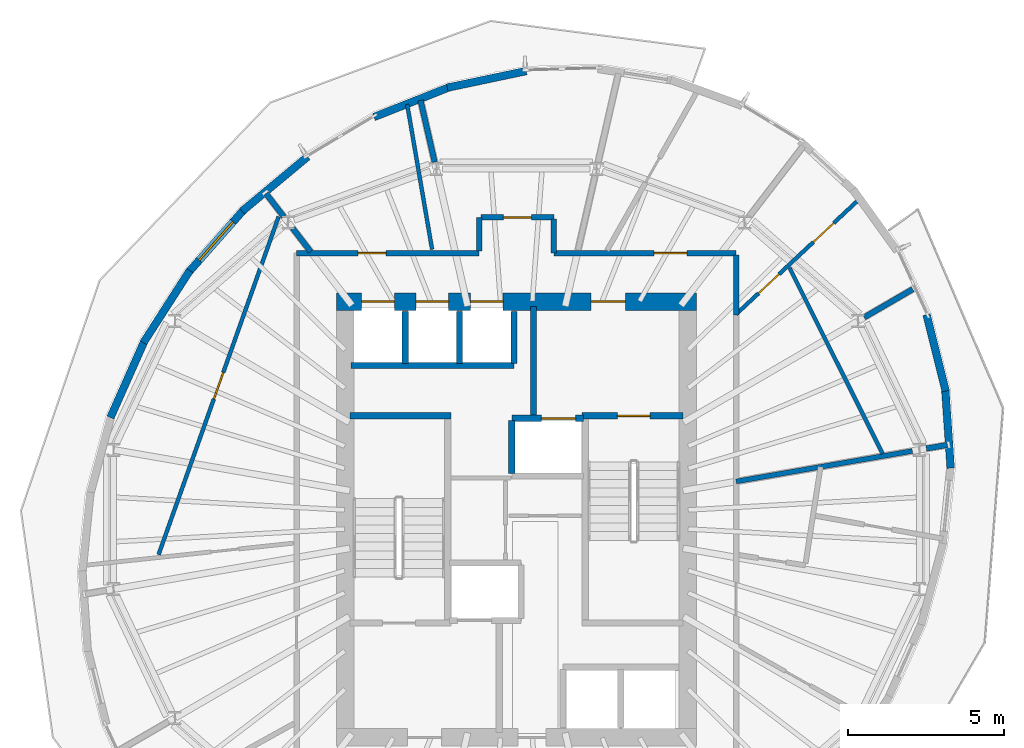
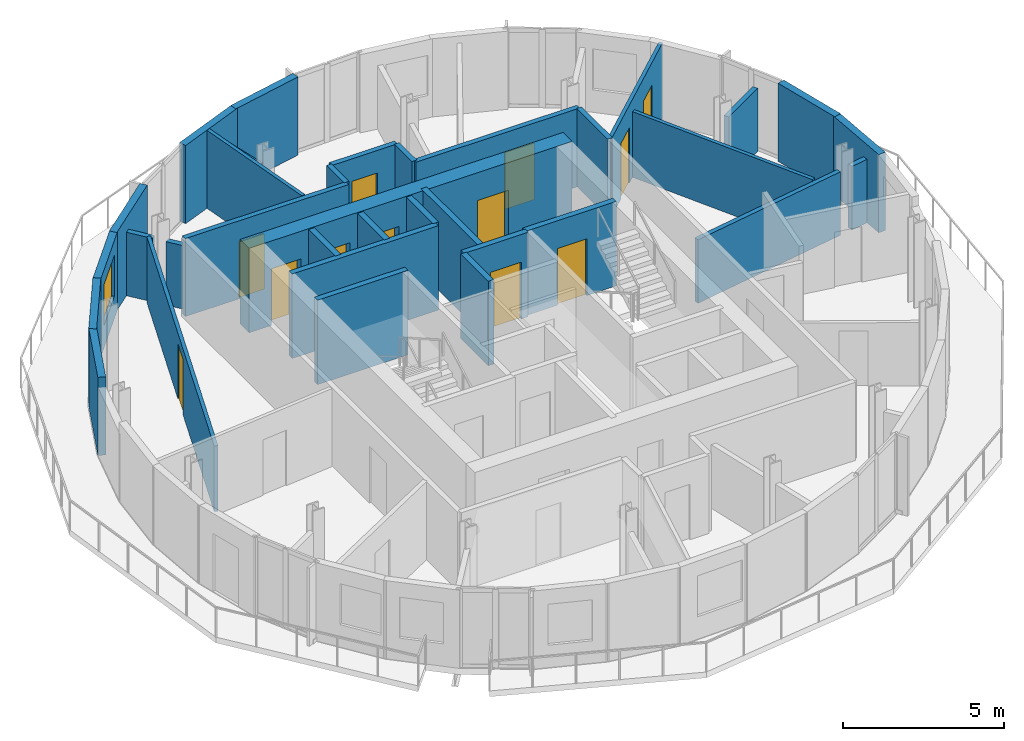
# One storey, part 6 of 11: 34 walls, 12 doors, 1 window, 13 openings.
"""IFC4 building model written with IfcOpenShell, lengths in metres."""

from ifc_helpers import new_model, si_unit, direction, frame, frame_2d, origin, place, context, subcontext, project, spatial, rectangle, extrude, material, layer, layer_set, type_object, element, fill, save


model = new_model("IFC4")

# Units and contexts
model_context = context("Model", 3, precision=1e-05, world=origin(), true_north=direction((0.0, 1.0)))
body_context = subcontext(model_context, "Body", "Model", "MODEL_VIEW")
ifc_project = project(units=[si_unit("LENGTHUNIT", "METRE"), si_unit("AREAUNIT", "SQUARE_METRE"), si_unit("VOLUMEUNIT", "CUBIC_METRE"), si_unit("PLANEANGLEUNIT", "RADIAN"), si_unit("MASSUNIT", "GRAM", prefix="KILO")], contexts=[model_context])

# Site, building, storey
site_placement = place(None, origin())
site = spatial("IfcSite", under=ifc_project, at=site_placement, CompositionType="ELEMENT")
building_placement = place(site_placement, origin())
building = spatial("IfcBuilding", under=site, at=building_placement, Name="Veldorim Arch Residences", CompositionType="ELEMENT")
storey_placement = place(building_placement, frame((0.0, 0.0, 211.0400390625)))
storey = spatial("IfcBuildingStorey", under=building, at=storey_placement, Name="L63", CompositionType="ELEMENT", Elevation=211.0400390625)

# Wall, openings, doors
ifc_material_1 = material(Name="Acoustic Gypsum Board", Category="gypsum")
ifc_layer_1 = layer(ifc_material_1, 0.125, Name="Acoustic Stud Room Partition Wall 125")
ifc_layer_set_1 = layer_set([ifc_layer_1], Name="Acoustic Gypsum Board")
wall_type_1 = type_object("IfcWallType", Name="Acoustic Stud Room Partition Wall 125", PredefinedType="PARTITIONING", material=ifc_layer_set_1)
wall_1_placement = place(storey_placement, frame((43.019775390625, 34.29443359375, 0.0), z_axis=(0.0, 0.0, 1.0), x_axis=(-0.730757039427, -0.682637641307, 0.0)))
wall_1 = element("IfcWall", 1, at=wall_1_placement, inside=storey, type_object=wall_type_1, Name="L63 interior wall WL-RES-L63-023", PredefinedType="PARTITIONING", context=body_context, shape_type="SweptSolid", body=[
    extrude(rectangle(XDim=5.418701171875, YDim=0.125, at=frame_2d((2.70947265625, 0.0))), origin(), (0.0, 0.0, 1.0), 2.955078125),
])
opening_1_placement = place(wall_1_placement, frame((1.1220703125, 0.0, 0.0)))
opening_1 = element("IfcOpeningElement", 2, at=opening_1_placement, cuts=wall_1, Name="Opening DR-INT", PredefinedType="OPENING", context=body_context, shape_type="SweptSolid", body=[
    extrude(rectangle(XDim=0.89990234375, YDim=2.10009765625, at=frame_2d((0.449951171875, 1.050048828125))), frame((0.0, 0.072509765625, 0.0), z_axis=(0.0, -1.0, 0.0), x_axis=(1.0, 0.0, 0.0)), (0.0, 0.0, 1.0), 0.14501953125),
])
opening_2_placement = place(wall_1_placement, frame((3.531005859375, 0.0, 0.0)))
opening_2 = element("IfcOpeningElement", 3, at=opening_2_placement, cuts=wall_1, Name="Opening DR-INT", PredefinedType="OPENING", context=body_context, shape_type="SweptSolid", body=[
    extrude(rectangle(XDim=0.89990234375, YDim=2.10009765625, at=frame_2d((0.449951171875, 1.050048828125))), frame((0.0, 0.072509765625, 0.0), z_axis=(0.0, -1.0, 0.0), x_axis=(1.0, 0.0, 0.0)), (0.0, 0.0, 1.0), 0.14501953125),
])
ifc_material_2 = material(Name="Engineered Timber", Category="wood")
door_type_1 = type_object("IfcDoorType", Name="Apartment Internal Room Timber Door 900x2100", OperationType="SINGLE_SWING_LEFT", PredefinedType="DOOR", material=ifc_material_2)
door_1_placement = place(opening_1_placement, origin())
door_1 = element("IfcDoor", 4, at=door_1_placement, inside=storey, type_object=door_type_1, Name="L63 interior door DR-RES-L63-009", OperationType="SINGLE_SWING_LEFT", OverallHeight=2.10009765625, OverallWidth=0.89990234375, PredefinedType="DOOR", context=body_context, shape_type="SweptSolid", body=[
    extrude(rectangle(XDim=0.89990234375, YDim=2.10009765625, at=frame_2d((0.449951171875, 1.050048828125))), frame((0.0, 0.02490234375, 0.0), z_axis=(0.0, -1.0, 0.0), x_axis=(1.0, 0.0, 0.0)), (0.0, 0.0, 1.0), 0.050048828125),
])
fill(opening_1, door_1)
door_2_placement = place(opening_2_placement, origin())
door_2 = element("IfcDoor", 5, at=door_2_placement, inside=storey, type_object=door_type_1, Name="L63 interior door DR-RES-L63-010", OperationType="SINGLE_SWING_RIGHT", OverallHeight=2.10009765625, OverallWidth=0.89990234375, PredefinedType="DOOR", context=body_context, shape_type="SweptSolid", body=[
    extrude(rectangle(XDim=0.89990234375, YDim=2.10009765625, at=frame_2d((0.449951171875, 1.050048828125))), frame((0.0, 0.02490234375, 0.0), z_axis=(0.0, -1.0, 0.0), x_axis=(1.0, 0.0, 0.0)), (0.0, 0.0, 1.0), 0.050048828125),
])
fill(opening_2, door_2)

# Walls
wall_2_placement = place(storey_placement, frame((43.76806640625, 26.113525390625, 0.0), z_axis=(0.0, 0.0, 1.0), x_axis=(-0.447958394428, 0.894054403748, 0.0)))
element("IfcWall", 6, at=wall_2_placement, inside=storey, type_object=wall_type_1, Name="L63 interior wall WL-RES-L63-025", PredefinedType="PARTITIONING", context=body_context, shape_type="SweptSolid", body=[
    extrude(rectangle(XDim=6.685546875, YDim=0.125, at=frame_2d((3.3427734375, 0.0))), origin(), (0.0, 0.0, 1.0), 2.488037109375),
])
wall_3_placement = place(storey_placement, frame((28.489501953125, 37.340576171875, 0.0), z_axis=(0.0, 0.0, 1.0), x_axis=(0.169376334169, -0.98555144839, 0.0)))
element("IfcWall", 7, at=wall_3_placement, inside=storey, type_object=wall_type_1, Name="L63 interior wall WL-RES-L63-026", PredefinedType="PARTITIONING", context=body_context, shape_type="SweptSolid", body=[
    extrude(rectangle(XDim=4.730712890625, YDim=0.125, at=frame_2d((2.365234375, 0.0))), origin(), (0.0, 0.0, 1.0), 2.955078125),
])

# Wall, opening, door
wall_4_placement = place(storey_placement, frame((20.501220703125, 22.86962890625, 0.0), z_axis=(0.0, 0.0, 1.0), x_axis=(0.334686593727, 0.942329498625, 0.0)))
wall_4 = element("IfcWall", 8, at=wall_4_placement, inside=storey, type_object=wall_type_1, Name="L63 interior wall WL-RES-L63-030", PredefinedType="PARTITIONING", context=body_context, shape_type="SweptSolid", body=[
    extrude(rectangle(XDim=11.524658203125, YDim=0.125, at=frame_2d((5.76220703125, 0.0))), origin(), (0.0, 0.0, 1.0), 2.488037109375),
])
opening_3_placement = place(wall_4_placement, frame((5.3125, 0.0, 0.0)))
opening_3 = element("IfcOpeningElement", 9, at=opening_3_placement, cuts=wall_4, Name="Opening DR-INT", PredefinedType="OPENING", context=body_context, shape_type="SweptSolid", body=[
    extrude(rectangle(XDim=0.89990234375, YDim=2.10009765625, at=frame_2d((0.449951171875, 1.050048828125))), frame((0.0, 0.072509765625, 0.0), z_axis=(0.0, -1.0, 0.0), x_axis=(1.0, 0.0, 0.0)), (0.0, 0.0, 1.0), 0.14501953125),
])
door_3_placement = place(opening_3_placement, origin())
door_3 = element("IfcDoor", 10, at=door_3_placement, inside=storey, type_object=door_type_1, Name="L63 interior door DR-RES-L63-016", OperationType="SINGLE_SWING_RIGHT", OverallHeight=2.10009765625, OverallWidth=0.89990234375, PredefinedType="DOOR", context=body_context, shape_type="SweptSolid", body=[
    extrude(rectangle(XDim=0.89990234375, YDim=2.10009765625, at=frame_2d((0.449951171875, 1.050048828125))), frame((0.0, 0.02490234375, 0.0), z_axis=(0.0, -1.0, 0.0), x_axis=(1.0, 0.0, 0.0)), (0.0, 0.0, 1.0), 0.050048828125),
])
fill(opening_3, door_3)

# Walls
ifc_material_3 = material(Name="Lightweight Masonry Block & Gypsum", Category="masonry")
ifc_layer_2 = layer(ifc_material_3, 0.179931640625, Name="Compartment & Corridor Fire-Rated Party Wall 180")
ifc_layer_set_2 = layer_set([ifc_layer_2], Name="Lightweight Masonry Block & Gypsum")
wall_type_2 = type_object("IfcWallType", Name="Compartment & Corridor Fire-Rated Party Wall 180", PredefinedType="PARTITIONING", material=ifc_layer_set_2)
wall_5_placement = place(storey_placement, frame((45.172607421875, 26.27880859375, 0.0), z_axis=(0.0, 0.0, 1.0), x_axis=(0.985357392461, 0.170501639647, 0.0)))
element("IfcWall", 11, at=wall_5_placement, inside=storey, type_object=wall_type_2, Name="L63 interior wall WL-PIER-L63-01", PredefinedType="PARTITIONING", context=body_context, shape_type="SweptSolid", body=[
    extrude(rectangle(XDim=0.687255859375, YDim=0.179931640625, at=frame_2d((0.34375, 0.0))), origin(), (0.0, 0.0, 1.0), 2.4033203125),
])
wall_6_placement = place(storey_placement, frame((43.173828125, 30.4931640625, 0.0), z_axis=(0.0, 0.0, 1.0), x_axis=(0.864637155841, 0.502396843879, 0.0)))
element("IfcWall", 12, at=wall_6_placement, inside=storey, type_object=wall_type_2, Name="L63 interior wall WL-PIER-L63-02", PredefinedType="PARTITIONING", context=body_context, shape_type="SweptSolid", body=[
    extrude(rectangle(XDim=1.802978515625, YDim=0.179931640625, at=frame_2d((0.9013671875, 0.0))), origin(), (0.0, 0.0, 1.0), 2.4033203125),
])
wall_7_placement = place(storey_placement, frame((29.37353515625, 35.483154296875, 0.0), z_axis=(0.0, 0.0, 1.0), x_axis=(-0.222932254148, 0.974833939736, 0.0)))
element("IfcWall", 13, at=wall_7_placement, inside=storey, type_object=wall_type_2, Name="L63 interior wall WL-PIER-L63-05", PredefinedType="PARTITIONING", context=body_context, shape_type="SweptSolid", body=[
    extrude(rectangle(XDim=2.035888671875, YDim=0.179931640625, at=frame_2d((1.01806640625, 0.0))), origin(), (0.0, 0.0, 1.0), 2.4033203125),
])
wall_8_placement = place(storey_placement, frame((24.526611328125, 33.727294921875, 0.0), z_axis=(0.0, 0.0, 1.0), x_axis=(-0.60903478373, 0.793143512995, 0.0)))
element("IfcWall", 14, at=wall_8_placement, inside=storey, type_object=wall_type_2, Name="L63 interior wall WL-PIER-L63-06", PredefinedType="PARTITIONING", context=body_context, shape_type="SweptSolid", body=[
    extrude(rectangle(XDim=0.94287109375, YDim=0.179931640625, at=frame_2d((0.471435546875, 0.0))), origin(), (0.0, 0.0, 1.0), 2.4033203125),
])

# Wall, opening, door
wall_9_placement = place(storey_placement, frame((33.199951171875, 32.56005859375, 0.0), z_axis=(0.0, 0.0, 1.0), x_axis=(1.0, 0.0, 0.0)))
wall_9 = element("IfcWall", 15, at=wall_9_placement, inside=storey, type_object=wall_type_2, Name="L63 interior wall WL-RES-L63-007", PredefinedType="PARTITIONING", context=body_context, shape_type="SweptSolid", body=[
    extrude(rectangle(XDim=5.860107421875, YDim=0.179931640625, at=frame_2d((2.93017578125, 0.0))), origin(), (0.0, 0.0, 1.0), 2.955078125),
])
opening_4_placement = place(wall_9_placement, frame((3.227294921875, 0.0, 0.0)))
opening_4 = element("IfcOpeningElement", 16, at=opening_4_placement, cuts=wall_9, Name="Opening DR-FLT", PredefinedType="OPENING", context=body_context, shape_type="SweptSolid", body=[
    extrude(rectangle(XDim=1.050048828125, YDim=2.14990234375, at=frame_2d((0.52490234375, 1.074951171875))), frame((0.0, 0.099853515625, 0.0), z_axis=(0.0, -1.0, 0.0), x_axis=(1.0, 0.0, 0.0)), (0.0, 0.0, 1.0), 0.199951171875),
])
ifc_material_4 = material(Name="Fire-Rated Timber", Category="wood")
door_type_2 = type_object("IfcDoorType", Name="Apartment Entrance Solid-Core Fire Door 1050x2150", OperationType="SINGLE_SWING_LEFT", PredefinedType="DOOR", material=ifc_material_4)
door_4_placement = place(opening_4_placement, origin())
door_4 = element("IfcDoor", 17, at=door_4_placement, inside=storey, type_object=door_type_2, Name="L63 interior door DR-RES-L63-007", OperationType="SINGLE_SWING_LEFT", OverallHeight=2.14990234375, OverallWidth=1.050048828125, PredefinedType="DOOR", context=body_context, shape_type="SweptSolid", body=[
    extrude(rectangle(XDim=1.050048828125, YDim=2.14990234375, at=frame_2d((0.52490234375, 1.074951171875))), frame((0.0, 0.02490234375, 0.0), z_axis=(0.0, -1.0, 0.0), x_axis=(1.0, 0.0, 0.0)), (0.0, 0.0, 1.0), 0.050048828125),
])
fill(opening_4, door_4)

# Wall
wall_10_placement = place(storey_placement, frame((39.06005859375, 32.5, 0.0), z_axis=(0.0, 0.0, 1.0), x_axis=(0.0, -1.0, 0.0)))
element("IfcWall", 18, at=wall_10_placement, inside=storey, type_object=wall_type_2, Name="L63 interior wall WL-RES-L63-008", PredefinedType="PARTITIONING", context=body_context, shape_type="SweptSolid", body=[
    extrude(rectangle(XDim=1.924560546875, YDim=0.179931640625, at=frame_2d((0.96240234375, 0.0))), origin(), (0.0, 0.0, 1.0), 2.955078125),
])

# Wall, opening, door
wall_11_placement = place(storey_placement, frame((24.93994140625, 32.56005859375, 0.0), z_axis=(0.0, 0.0, 1.0), x_axis=(1.0, 0.0, 0.0)))
wall_11 = element("IfcWall", 19, at=wall_11_placement, inside=storey, type_object=wall_type_2, Name="L63 interior wall WL-RES-L63-009", PredefinedType="PARTITIONING", context=body_context, shape_type="SweptSolid", body=[
    extrude(rectangle(XDim=5.860107421875, YDim=0.179931640625, at=frame_2d((2.93017578125, 0.0))), origin(), (0.0, 0.0, 1.0), 2.955078125),
])
opening_5_placement = place(wall_11_placement, frame((1.974609375, 0.0, 0.0)))
opening_5 = element("IfcOpeningElement", 20, at=opening_5_placement, cuts=wall_11, Name="Opening DR-SVC", PredefinedType="OPENING", context=body_context, shape_type="SweptSolid", body=[
    extrude(rectangle(XDim=0.89990234375, YDim=2.10009765625, at=frame_2d((0.449951171875, 1.050048828125))), frame((0.0, 0.099853515625, 0.0), z_axis=(0.0, -1.0, 0.0), x_axis=(1.0, 0.0, 0.0)), (0.0, 0.0, 1.0), 0.199951171875),
])
ifc_material_5 = material(Name="Fire-Rated Steel", Category="steel")
door_type_3 = type_object("IfcDoorType", Name="Riser, Shelter & Plant Room Rated Steel Door 900x2100", OperationType="SINGLE_SWING_LEFT", PredefinedType="DOOR", material=ifc_material_5)
door_5_placement = place(opening_5_placement, origin())
door_5 = element("IfcDoor", 21, at=door_5_placement, inside=storey, type_object=door_type_3, Name="L63 interior door DR-RES-L63-011", OperationType="SINGLE_SWING_LEFT", OverallHeight=2.10009765625, OverallWidth=0.89990234375, PredefinedType="DOOR", context=body_context, shape_type="SweptSolid", body=[
    extrude(rectangle(XDim=0.89990234375, YDim=2.10009765625, at=frame_2d((0.449951171875, 1.050048828125))), frame((0.0, 0.02490234375, 0.0), z_axis=(0.0, -1.0, 0.0), x_axis=(1.0, 0.0, 0.0)), (0.0, 0.0, 1.0), 0.050048828125),
])
fill(opening_5, door_5)

# Wall
wall_12_placement = place(storey_placement, frame((30.800048828125, 32.6201171875, 0.0), z_axis=(0.0, 0.0, 1.0), x_axis=(0.0, 1.0, 0.0)))
element("IfcWall", 22, at=wall_12_placement, inside=storey, type_object=wall_type_2, Name="L63 interior wall WL-RES-L63-010", PredefinedType="PARTITIONING", context=body_context, shape_type="SweptSolid", body=[
    extrude(rectangle(XDim=1.08984375, YDim=0.179931640625, at=frame_2d((0.544921875, 0.0))), origin(), (0.0, 0.0, 1.0), 2.955078125),
])

# Wall, opening, door
wall_13_placement = place(storey_placement, frame((30.860107421875, 33.7099609375, 0.0), z_axis=(0.0, 0.0, 1.0), x_axis=(1.0, 0.0, 0.0)))
wall_13 = element("IfcWall", 23, at=wall_13_placement, inside=storey, type_object=wall_type_2, Name="L63 interior wall WL-RES-L63-011", PredefinedType="PARTITIONING", context=body_context, shape_type="SweptSolid", body=[
    extrude(rectangle(XDim=2.33984375, YDim=0.179931640625, at=frame_2d((1.169921875, 0.0))), origin(), (0.0, 0.0, 1.0), 2.955078125),
])
opening_6_placement = place(wall_13_placement, frame((0.719970703125, 0.0, 0.0)))
opening_6 = element("IfcOpeningElement", 24, at=opening_6_placement, cuts=wall_13, Name="Opening DR-INT", PredefinedType="OPENING", context=body_context, shape_type="SweptSolid", body=[
    extrude(rectangle(XDim=0.89990234375, YDim=2.10009765625, at=frame_2d((0.449951171875, 1.050048828125))), frame((0.0, 0.099853515625, 0.0), z_axis=(0.0, -1.0, 0.0), x_axis=(1.0, 0.0, 0.0)), (0.0, 0.0, 1.0), 0.199951171875),
])
door_6_placement = place(opening_6_placement, origin())
door_6 = element("IfcDoor", 25, at=door_6_placement, inside=storey, type_object=door_type_1, Name="L63 interior door DR-RES-L63-012", OperationType="SINGLE_SWING_RIGHT", OverallHeight=2.10009765625, OverallWidth=0.89990234375, PredefinedType="DOOR", context=body_context, shape_type="SweptSolid", body=[
    extrude(rectangle(XDim=0.89990234375, YDim=2.10009765625, at=frame_2d((0.449951171875, 1.050048828125))), frame((0.0, 0.02490234375, 0.0), z_axis=(0.0, -1.0, 0.0), x_axis=(1.0, 0.0, 0.0)), (0.0, 0.0, 1.0), 0.050048828125),
])
fill(opening_6, door_6)

# Walls
wall_14_placement = place(storey_placement, frame((33.199951171875, 33.64990234375, 0.0), z_axis=(0.0, 0.0, 1.0), x_axis=(0.0, -1.0, 0.0)))
element("IfcWall", 26, at=wall_14_placement, inside=storey, type_object=wall_type_2, Name="L63 interior wall WL-RES-L63-012", PredefinedType="PARTITIONING", context=body_context, shape_type="SweptSolid", body=[
    extrude(rectangle(XDim=1.08984375, YDim=0.179931640625, at=frame_2d((0.544921875, 0.0))), origin(), (0.0, 0.0, 1.0), 2.955078125),
])
wall_15_placement = place(storey_placement, frame((25.386962890625, 32.607666015625, 0.0), z_axis=(0.0, 0.0, 1.0), x_axis=(-0.609302225724, 0.792938079378, 0.0)))
element("IfcWall", 27, at=wall_15_placement, inside=storey, type_object=wall_type_2, Name="L63 interior wall WL-RES-L63-027", PredefinedType="PARTITIONING", context=body_context, shape_type="SweptSolid", body=[
    extrude(rectangle(XDim=0.953125, YDim=0.179931640625, at=frame_2d((0.4765625, 0.0))), origin(), (0.0, 0.0, 1.0), 2.4033203125),
])
ifc_material_6 = material(Name="Concrete C50/60", Category="concrete")
ifc_layer_3 = layer(ifc_material_6, 0.199951171875, Name="Core Stair & Lift Shaft Enclosure Wall 200")
ifc_layer_set_3 = layer_set([ifc_layer_3], Name="Concrete C50/60")
wall_type_3 = type_object("IfcWallType", Name="Core Stair & Lift Shaft Enclosure Wall 200", PredefinedType="SHEAR", material=ifc_layer_set_3)
wall_16_placement = place(storey_placement, frame((26.64990234375, 27.330078125, 0.0), z_axis=(0.0, 0.0, 1.0), x_axis=(1.0, 0.0, 0.0)))
element("IfcWall", 28, at=wall_16_placement, inside=storey, type_object=wall_type_3, Name="L63 shaft wall WL-SHF-L63-ST1-N", PredefinedType="SHEAR", context=body_context, shape_type="SweptSolid", body=[
    extrude(rectangle(XDim=3.239990234375, YDim=0.199951171875, at=frame_2d((1.6201171875, 0.0))), origin(), (0.0, 0.0, 1.0), 3.199951171875),
])

# Wall, opening, door
wall_17_placement = place(storey_placement, frame((34.110107421875, 27.330078125, 0.0), z_axis=(0.0, 0.0, 1.0), x_axis=(1.0, 0.0, 0.0)))
wall_17 = element("IfcWall", 29, at=wall_17_placement, inside=storey, type_object=wall_type_3, Name="L63 shaft wall WL-SHF-L63-ST2-N", PredefinedType="SHEAR", context=body_context, shape_type="SweptSolid", body=[
    extrude(rectangle(XDim=3.239990234375, YDim=0.199951171875, at=frame_2d((1.6201171875, 0.0))), origin(), (0.0, 0.0, 1.0), 3.199951171875),
])
opening_7_placement = place(wall_17_placement, frame((1.135009765625, 0.0, 0.0)))
opening_7 = element("IfcOpeningElement", 30, at=opening_7_placement, cuts=wall_17, Name="Opening DR-ST", PredefinedType="OPENING", context=body_context, shape_type="SweptSolid", body=[
    extrude(rectangle(XDim=1.050048828125, YDim=2.14990234375, at=frame_2d((0.52490234375, 1.074951171875))), frame((0.0, 0.10986328125, 0.0), z_axis=(0.0, -1.0, 0.0), x_axis=(1.0, 0.0, 0.0)), (0.0, 0.0, 1.0), 0.219970703125),
])
ifc_material_7 = material(Name="Fire-Rated Steel", Category="steel")
door_type_4 = type_object("IfcDoorType", Name="Exit Staircase Self-Closing Fire Door 1050x2150", OperationType="SINGLE_SWING_LEFT", PredefinedType="DOOR", material=ifc_material_7)
door_7_placement = place(opening_7_placement, origin())
door_7 = element("IfcDoor", 31, at=door_7_placement, inside=storey, type_object=door_type_4, Name="L63 interior door DR-L63-ST2", OperationType="SINGLE_SWING_RIGHT", OverallHeight=2.14990234375, OverallWidth=1.050048828125, PredefinedType="DOOR", context=body_context, shape_type="SweptSolid", body=[
    extrude(rectangle(XDim=1.050048828125, YDim=2.14990234375, at=frame_2d((0.52490234375, 1.074951171875))), frame((0.0, 0.02490234375, 0.0), z_axis=(0.0, -1.0, 0.0), x_axis=(1.0, 0.0, 0.0)), (0.0, 0.0, 1.0), 0.050048828125),
])
fill(opening_7, door_7)

# Wall
wall_18_placement = place(storey_placement, frame((32.550048828125, 27.35009765625, 0.0), z_axis=(0.0, 0.0, 1.0), x_axis=(0.0, 1.0, 0.0)))
element("IfcWall", 32, at=wall_18_placement, inside=storey, type_object=wall_type_3, Name="L63 shaft wall WL-FFL2-L63-W", PredefinedType="SHEAR", context=body_context, shape_type="SweptSolid", body=[
    extrude(rectangle(XDim=3.5, YDim=0.199951171875, at=frame_2d((1.75, 0.0))), origin(), (0.0, 0.0, 1.0), 3.199951171875),
])

# Wall, opening, door
wall_19_placement = place(storey_placement, frame((31.85009765625, 27.25, 0.0), z_axis=(0.0, 0.0, 1.0), x_axis=(1.0, 0.0, 0.0)))
wall_19 = element("IfcWall", 33, at=wall_19_placement, inside=storey, type_object=wall_type_3, Name="L63 shaft wall WL-FL02-L63-N", PredefinedType="SHEAR", context=body_context, shape_type="SweptSolid", body=[
    extrude(rectangle(XDim=2.2998046875, YDim=0.199951171875, at=frame_2d((1.14990234375, 0.0))), origin(), (0.0, 0.0, 1.0), 3.199951171875),
])
opening_8_placement = place(wall_19_placement, frame((0.949951171875, 0.0, 0.0)))
opening_8 = element("IfcOpeningElement", 34, at=opening_8_placement, cuts=wall_19, Name="Opening LD-FF", PredefinedType="OPENING", context=body_context, shape_type="SweptSolid", body=[
    extrude(rectangle(XDim=1.10009765625, YDim=2.14990234375, at=frame_2d((0.550048828125, 1.074951171875))), frame((0.0, 0.10986328125, 0.0), z_axis=(0.0, -1.0, 0.0), x_axis=(1.0, 0.0, 0.0)), (0.0, 0.0, 1.0), 0.219970703125),
])
ifc_material_8 = material(Name="Stainless Steel", Category="steel")
door_type_5 = type_object("IfcDoorType", Name="Firefighting Lift Bi-Parting Sliding Landing Door 1100x2150", OperationType="DOUBLE_DOOR_SLIDING", PredefinedType="DOOR", material=ifc_material_8)
door_8_placement = place(opening_8_placement, origin())
door_8 = element("IfcDoor", 35, at=door_8_placement, inside=storey, type_object=door_type_5, Name="L63 lift landing door LD-L63-FL02", OperationType="DOUBLE_DOOR_SLIDING", OverallHeight=2.14990234375, OverallWidth=1.10009765625, PredefinedType="DOOR", context=body_context, shape_type="SweptSolid", body=[
    extrude(rectangle(XDim=1.10009765625, YDim=2.14990234375, at=frame_2d((0.550048828125, 1.074951171875))), frame((0.0, 0.02490234375, 0.0), z_axis=(0.0, -1.0, 0.0), x_axis=(1.0, 0.0, 0.0)), (0.0, 0.0, 1.0), 0.050048828125),
])
fill(opening_8, door_8)

# Walls
wall_20_placement = place(storey_placement, frame((31.85009765625, 25.469970703125, 0.0), z_axis=(0.0, 0.0, 1.0), x_axis=(0.0, 1.0, 0.0)))
element("IfcWall", 36, at=wall_20_placement, inside=storey, type_object=wall_type_3, Name="L63 shaft wall WL-FL02-L63-W", PredefinedType="SHEAR", context=body_context, shape_type="SweptSolid", body=[
    extrude(rectangle(XDim=1.7099609375, YDim=0.199951171875, at=frame_2d((0.85498046875, 0.0))), origin(), (0.0, 0.0, 1.0), 3.199951171875),
])
wall_21_placement = place(storey_placement, frame((26.679931640625, 28.949951171875, 0.0), z_axis=(0.0, 0.0, 1.0), x_axis=(1.0, 0.0, 0.0)))
element("IfcWall", 37, at=wall_21_placement, inside=storey, type_object=wall_type_3, Name="L63 shaft wall WL-B3-L63-S", PredefinedType="SHEAR", context=body_context, shape_type="SweptSolid", body=[
    extrude(rectangle(XDim=5.239990234375, YDim=0.199951171875, at=frame_2d((2.6201171875, 0.0))), origin(), (0.0, 0.0, 1.0), 3.199951171875),
])
for number, where, z_axis, x_axis, name in (
    (38, (31.919921875, 29.02001953125, 0.0), (0.0, 0.0, 1.0), (0.0, 1.0, 0.0), "L63 shaft wall WL-B3-L63-E"),
    (39, (28.425048828125, 29.02001953125, 0.0), (0.0, 0.0, 1.0), (0.0, 1.0, 0.0), "L63 shaft wall WL-B3-L63-D1"),
    (40, (30.175048828125, 29.02001953125, 0.0), (0.0, 0.0, 1.0), (0.0, 1.0, 0.0), "L63 shaft wall WL-B3-L63-D2"),
):
    element("IfcWall", number, at=place(storey_placement, frame(where, z_axis=z_axis, x_axis=x_axis)), inside=storey, type_object=wall_type_3, Name=name, PredefinedType="SHEAR", context=body_context, shape_type="SweptSolid", body=[
        extrude(rectangle(XDim=1.659912109375, YDim=0.199951171875, at=frame_2d((0.830078125, 0.0))), origin(), (0.0, 0.0, 1.0), 3.199951171875),
    ])
ifc_material_9 = material(Name="Precast concrete C40/50", Category="concrete")
ifc_layer_4 = layer(ifc_material_9, 0.25, Name="Tower Terracotta Spandrel & Pier Wall 250")
ifc_layer_set_4 = layer_set([ifc_layer_4], Name="Precast concrete C40/50")
wall_type_4 = type_object("IfcWallType", Name="Tower Terracotta Spandrel & Pier Wall 250", PredefinedType="SOLIDWALL", material=ifc_layer_set_4)
wall_22_placement = place(storey_placement, frame((29.77880859375, 37.876708984375, 0.0), z_axis=(0.0, 0.0, 1.0), x_axis=(0.978434707222, 0.206556345104, 0.0)))
element("IfcWall", 41, at=wall_22_placement, inside=storey, type_object=wall_type_4, Name="L63 terracotta facade wall 05", PredefinedType="SOLIDWALL", context=body_context, shape_type="SweptSolid", body=[
    extrude(rectangle(XDim=2.592041015625, YDim=0.25, at=frame_2d((1.2958984375, 0.0))), origin(), (0.0, 0.0, 1.0), 2.9599609375),
])
wall_23_placement = place(storey_placement, frame((27.419677734375, 36.933349609375, 0.0), z_axis=(0.0, 0.0, 1.0), x_axis=(0.929861098324, 0.36791077427, 0.0)))
element("IfcWall", 42, at=wall_23_placement, inside=storey, type_object=wall_type_4, Name="L63 terracotta facade wall 06", PredefinedType="SOLIDWALL", context=body_context, shape_type="SweptSolid", body=[
    extrude(rectangle(XDim=2.651123046875, YDim=0.25, at=frame_2d((1.32568359375, 0.0))), origin(), (0.0, 0.0, 1.0), 2.9599609375),
])
wall_24_placement = place(storey_placement, frame((23.184326171875, 33.906494140625, 0.0), z_axis=(0.0, 0.0, 1.0), x_axis=(0.76821397209, 0.640193168571, 0.0)))
element("IfcWall", 43, at=wall_24_placement, inside=storey, type_object=wall_type_4, Name="L63 terracotta facade wall 08", PredefinedType="SOLIDWALL", context=body_context, shape_type="SweptSolid", body=[
    extrude(rectangle(XDim=2.738525390625, YDim=0.25, at=frame_2d((1.369140625, 0.0))), origin(), (0.0, 0.0, 1.0), 2.9599609375),
])

# Wall, opening, window
wall_25_placement = place(storey_placement, frame((21.437255859375, 31.91455078125, 0.0), z_axis=(0.0, 0.0, 1.0), x_axis=(0.661694827408, 0.749773269317, 0.0)))
wall_25 = element("IfcWall", 44, at=wall_25_placement, inside=storey, type_object=wall_type_4, Name="L63 terracotta facade wall 09", PredefinedType="SOLIDWALL", context=body_context, shape_type="SweptSolid", body=[
    extrude(rectangle(XDim=2.758056640625, YDim=0.25, at=frame_2d((1.37890625, 0.0))), origin(), (0.0, 0.0, 1.0), 2.9599609375),
])
opening_9_placement = place(wall_25_placement, frame((0.553955078125, 0.0, 0.85009765625)))
opening_9 = element("IfcOpeningElement", 45, at=opening_9_placement, cuts=wall_25, Name="Opening WN-03", PredefinedType="OPENING", context=body_context, shape_type="SweptSolid", body=[
    extrude(rectangle(XDim=1.64990234375, YDim=1.550048828125, at=frame_2d((0.824951171875, 0.77490234375))), frame((0.0, 0.135009765625, 0.0), z_axis=(0.0, -1.0, 0.0), x_axis=(1.0, 0.0, 0.0)), (0.0, 0.0, 1.0), 0.27001953125),
])
ifc_material_10 = material(Name="Laminated Low-E Glass", Category="glass")
window_type = type_object("IfcWindowType", Name="Residential Wide Window 1650x1550", PartitioningType="SINGLE_PANEL", PredefinedType="WINDOW", material=ifc_material_10)
window_placement = place(opening_9_placement, origin())
window = element("IfcWindow", 46, at=window_placement, inside=storey, type_object=window_type, Name="L63 solar-control facade window 09", OverallHeight=1.550048828125, OverallWidth=1.64990234375, PartitioningType="SINGLE_PANEL", PredefinedType="WINDOW", context=body_context, shape_type="SweptSolid", body=[
    extrude(rectangle(XDim=1.64990234375, YDim=1.550048828125, at=frame_2d((0.824951171875, 0.77490234375))), frame((0.0, 0.030029296875, 0.0), z_axis=(0.0, -1.0, 0.0), x_axis=(1.0, 0.0, 0.0)), (0.0, 0.0, 1.0), 0.06005859375),
])
fill(opening_9, window)

# Walls
wall_26_placement = place(storey_placement, frame((20.01171875, 29.68115234375, 0.0), z_axis=(0.0, 0.0, 1.0), x_axis=(0.540690479286, 0.841221615039, 0.0)))
element("IfcWall", 47, at=wall_26_placement, inside=storey, type_object=wall_type_4, Name="L63 terracotta facade wall 10", PredefinedType="SOLIDWALL", context=body_context, shape_type="SweptSolid", body=[
    extrude(rectangle(XDim=2.758056640625, YDim=0.25, at=frame_2d((1.37890625, 0.0))), origin(), (0.0, 0.0, 1.0), 2.9599609375),
])
wall_27_placement = place(storey_placement, frame((18.950927734375, 27.2744140625, 0.0), z_axis=(0.0, 0.0, 1.0), x_axis=(0.40624599189, 0.913763751783, 0.0)))
element("IfcWall", 48, at=wall_27_placement, inside=storey, type_object=wall_type_4, Name="L63 terracotta facade wall 11", PredefinedType="SOLIDWALL", context=body_context, shape_type="SweptSolid", body=[
    extrude(rectangle(XDim=2.738525390625, YDim=0.25, at=frame_2d((1.369140625, 0.0))), origin(), (0.0, 0.0, 1.0), 2.9599609375),
])
wall_28_placement = place(storey_placement, frame((45.77880859375, 28.23681640625, 0.0), z_axis=(0.0, 0.0, 1.0), x_axis=(0.068469168344, -0.997653232835, 0.0)))
element("IfcWall", 49, at=wall_28_placement, inside=storey, type_object=wall_type_4, Name="L63 terracotta facade wall 32", PredefinedType="SOLIDWALL", context=body_context, shape_type="SweptSolid", body=[
    extrude(rectangle(XDim=2.59228515625, YDim=0.25, at=frame_2d((1.296142578125, 0.0))), origin(), (0.0, 0.0, 1.0), 2.9599609375),
])
wall_29_placement = place(storey_placement, frame((45.180419921875, 30.58251953125, 0.0), z_axis=(0.0, 0.0, 1.0), x_axis=(0.243170809566, -0.969983483042, 0.0)))
element("IfcWall", 50, at=wall_29_placement, inside=storey, type_object=wall_type_4, Name="L63 terracotta facade wall 33", PredefinedType="SOLIDWALL", context=body_context, shape_type="SweptSolid", body=[
    extrude(rectangle(XDim=2.531982421875, YDim=0.25, at=frame_2d((1.26611328125, 0.0))), origin(), (0.0, 0.0, 1.0), 2.9599609375),
])

# Wall, openings, doors
ifc_material_11 = material(Name="Concrete C50/60", Category="concrete")
ifc_layer_5 = layer(ifc_material_11, 0.5, Name="Upper Central Core Shear Wall 560")
ifc_layer_set_5 = layer_set([ifc_layer_5], Name="Concrete C50/60")
wall_type_5 = type_object("IfcWallType", Name="Upper Central Core Shear Wall 560", PredefinedType="SHEAR", material=ifc_layer_set_5)
wall_30_placement = place(storey_placement, frame((26.219970703125, 31.0, 0.0), z_axis=(0.0, 0.0, 1.0), x_axis=(1.0, 0.0, 0.0)))
wall_30 = element("IfcWall", 51, at=wall_30_placement, inside=storey, type_object=wall_type_5, Name="L63 central core north shear wall", PredefinedType="SHEAR", context=body_context, shape_type="SweptSolid", body=[
    extrude(rectangle(XDim=11.56005859375, YDim=0.56005859375, at=frame_2d((5.780029296875, 0.0))), origin(), (0.0, 0.0, 1.0), 3.199951171875),
])
opening_10_placement = place(wall_30_placement, frame((8.179931640625, 0.0, 0.0)))
opening_10 = element("IfcOpeningElement", 52, at=opening_10_placement, cuts=wall_30, Name="Opening DR-FFL", PredefinedType="OPENING", context=body_context, shape_type="SweptSolid", body=[
    extrude(rectangle(XDim=1.10009765625, YDim=2.14990234375, at=frame_2d((0.550048828125, 1.074951171875))), frame((0.0, 0.2900390625, 0.0), z_axis=(0.0, -1.0, 0.0), x_axis=(1.0, 0.0, 0.0)), (0.0, 0.0, 1.0), 0.580078125),
])
opening_11_placement = place(wall_30_placement, frame((0.804931640625, 0.0, 0.0)))
opening_11 = element("IfcOpeningElement", 53, at=opening_11_placement, cuts=wall_30, Name="Opening LD-PS", PredefinedType="OPENING", context=body_context, shape_type="SweptSolid", body=[
    extrude(rectangle(XDim=1.050048828125, YDim=2.14990234375, at=frame_2d((0.52490234375, 1.074951171875))), frame((0.0, 0.2900390625, 0.0), z_axis=(0.0, -1.0, 0.0), x_axis=(1.0, 0.0, 0.0)), (0.0, 0.0, 1.0), 0.580078125),
])
opening_12_placement = place(wall_30_placement, frame((2.554931640625, 0.0, 0.0)))
opening_12 = element("IfcOpeningElement", 54, at=opening_12_placement, cuts=wall_30, Name="Opening LD-PS", PredefinedType="OPENING", context=body_context, shape_type="SweptSolid", body=[
    extrude(rectangle(XDim=1.050048828125, YDim=2.14990234375, at=frame_2d((0.52490234375, 1.074951171875))), frame((0.0, 0.2900390625, 0.0), z_axis=(0.0, -1.0, 0.0), x_axis=(1.0, 0.0, 0.0)), (0.0, 0.0, 1.0), 0.580078125),
])
opening_13_placement = place(wall_30_placement, frame((4.304931640625, 0.0, 0.0)))
opening_13 = element("IfcOpeningElement", 55, at=opening_13_placement, cuts=wall_30, Name="Opening LD-PS", PredefinedType="OPENING", context=body_context, shape_type="SweptSolid", body=[
    extrude(rectangle(XDim=1.050048828125, YDim=2.14990234375, at=frame_2d((0.52490234375, 1.074951171875))), frame((0.0, 0.2900390625, 0.0), z_axis=(0.0, -1.0, 0.0), x_axis=(1.0, 0.0, 0.0)), (0.0, 0.0, 1.0), 0.580078125),
])
ifc_material_12 = material(Name="Fire-Rated Steel & Vision Glass", Category="steel")
door_type_6 = type_object("IfcDoorType", Name="Firefighting Lobby Smoke-Stop Fire Door 1100x2150", OperationType="SINGLE_SWING_LEFT", PredefinedType="DOOR", material=ifc_material_12)
door_9_placement = place(opening_10_placement, origin())
door_9 = element("IfcDoor", 56, at=door_9_placement, inside=storey, type_object=door_type_6, Name="L63 interior door DR-L63-FFL2", OperationType="SINGLE_SWING_LEFT", OverallHeight=2.14990234375, OverallWidth=1.10009765625, PredefinedType="DOOR", context=body_context, shape_type="SweptSolid", body=[
    extrude(rectangle(XDim=1.10009765625, YDim=2.14990234375, at=frame_2d((0.550048828125, 1.074951171875))), frame((0.0, 0.02490234375, 0.0), z_axis=(0.0, -1.0, 0.0), x_axis=(1.0, 0.0, 0.0)), (0.0, 0.0, 1.0), 0.050048828125),
])
fill(opening_10, door_9)
ifc_material_13 = material(Name="Stainless Steel", Category="steel")
door_type_7 = type_object("IfcDoorType", Name="Passenger Lift Bi-Parting Sliding Landing Door 1050x2150", OperationType="DOUBLE_DOOR_SLIDING", PredefinedType="DOOR", material=ifc_material_13)
door_10_placement = place(opening_11_placement, origin())
door_10 = element("IfcDoor", 57, at=door_10_placement, inside=storey, type_object=door_type_7, Name="L63 lift landing door LD-L63-PL-08", OperationType="DOUBLE_DOOR_SLIDING", OverallHeight=2.14990234375, OverallWidth=1.050048828125, PredefinedType="DOOR", context=body_context, shape_type="SweptSolid", body=[
    extrude(rectangle(XDim=1.050048828125, YDim=2.14990234375, at=frame_2d((0.52490234375, 1.074951171875))), frame((0.0, 0.02490234375, 0.0), z_axis=(0.0, -1.0, 0.0), x_axis=(1.0, 0.0, 0.0)), (0.0, 0.0, 1.0), 0.050048828125),
])
fill(opening_11, door_10)
door_11_placement = place(opening_12_placement, origin())
door_11 = element("IfcDoor", 58, at=door_11_placement, inside=storey, type_object=door_type_7, Name="L63 lift landing door LD-L63-PL-09", OperationType="DOUBLE_DOOR_SLIDING", OverallHeight=2.14990234375, OverallWidth=1.050048828125, PredefinedType="DOOR", context=body_context, shape_type="SweptSolid", body=[
    extrude(rectangle(XDim=1.050048828125, YDim=2.14990234375, at=frame_2d((0.52490234375, 1.074951171875))), frame((0.0, 0.02490234375, 0.0), z_axis=(0.0, -1.0, 0.0), x_axis=(1.0, 0.0, 0.0)), (0.0, 0.0, 1.0), 0.050048828125),
])
fill(opening_12, door_11)
door_12_placement = place(opening_13_placement, origin())
door_12 = element("IfcDoor", 59, at=door_12_placement, inside=storey, type_object=door_type_7, Name="L63 lift landing door LD-L63-PL-10", OperationType="DOUBLE_DOOR_SLIDING", OverallHeight=2.14990234375, OverallWidth=1.050048828125, PredefinedType="DOOR", context=body_context, shape_type="SweptSolid", body=[
    extrude(rectangle(XDim=1.050048828125, YDim=2.14990234375, at=frame_2d((0.52490234375, 1.074951171875))), frame((0.0, 0.02490234375, 0.0), z_axis=(0.0, -1.0, 0.0), x_axis=(1.0, 0.0, 0.0)), (0.0, 0.0, 1.0), 0.050048828125),
])
fill(opening_13, door_12)

# Wall
ifc_material_14 = material(Name="Moisture-Resistant Gypsum & Stud", Category="gypsum")
ifc_layer_6 = layer(ifc_material_14, 0.159912109375, Name="Wet-Area Moisture-Resistant Plumbing Wall 160")
ifc_layer_set_6 = layer_set([ifc_layer_6], Name="Moisture-Resistant Gypsum & Stud")
wall_type_6 = type_object("IfcWallType", Name="Wet-Area Moisture-Resistant Plumbing Wall 160", PredefinedType="PLUMBINGWALL", material=ifc_layer_set_6)
wall_31_placement = place(storey_placement, frame((39.059814453125, 25.2216796875, 0.0), z_axis=(0.0, 0.0, 1.0), x_axis=(0.985376851804, 0.170389142636, 0.0)))
element("IfcWall", 60, at=wall_31_placement, inside=storey, type_object=wall_type_6, Name="L63 interior wall WL-RES-L63-021", PredefinedType="PLUMBINGWALL", context=body_context, shape_type="SweptSolid", body=[
    extrude(rectangle(XDim=5.7470703125, YDim=0.159912109375, at=frame_2d((2.87353515625, 0.0))), origin(), (0.0, 0.0, 1.0), 2.4033203125),
])

save(model, "model.ifc")
